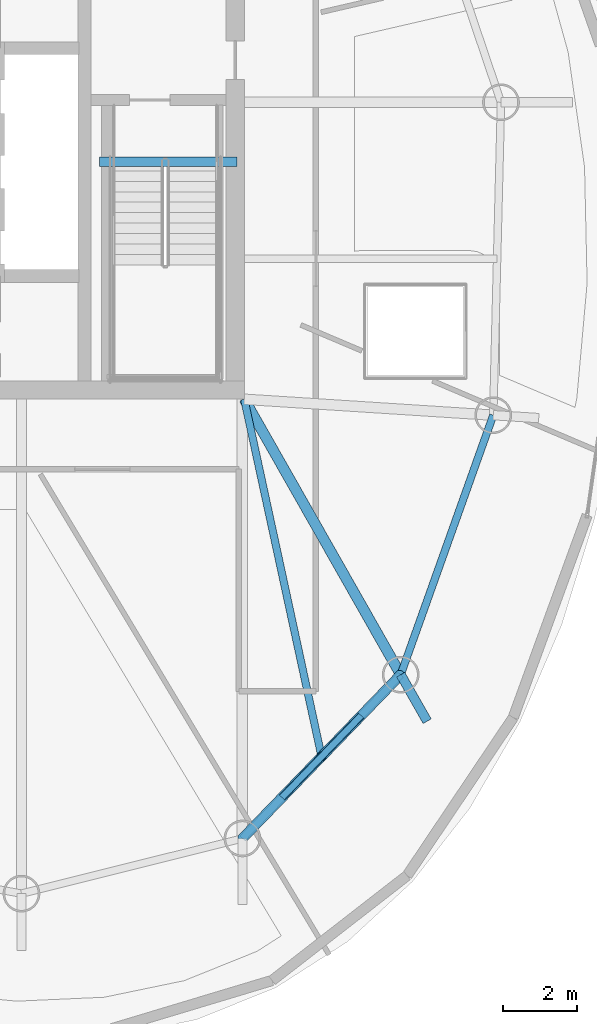
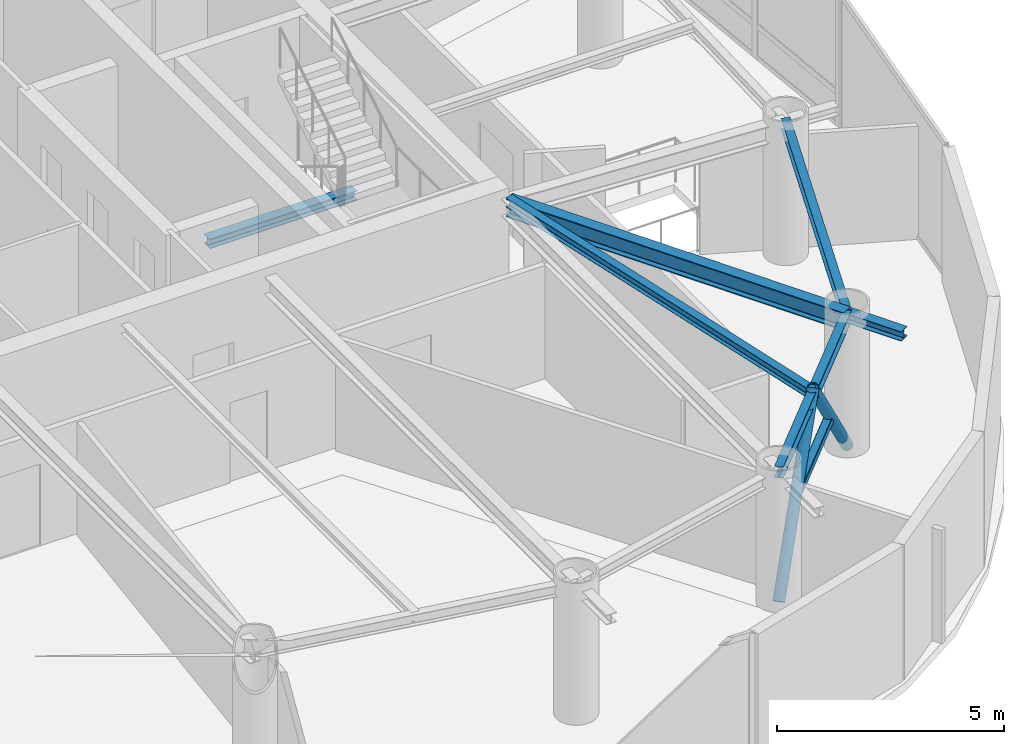
# One storey, part 6 of 20: 6 beams, 3 members.
"""IFC4 building model written with IfcOpenShell, lengths in metres."""

from ifc_helpers import new_model, si_unit, direction, frame, origin, origin_2d, place, context, subcontext, project, spatial, hollow_rectangle, hollow_circle, i_section, extrude, material, material_profile, profile_set, type_object, element, save


model = new_model("IFC4")

# Units and contexts
model_context = context("Model", 3, precision=1e-05, world=origin(), true_north=direction((0.0, 1.0)))
body_context = subcontext(model_context, "Body", "Model", "MODEL_VIEW")
ifc_project = project(units=[si_unit("LENGTHUNIT", "METRE"), si_unit("AREAUNIT", "SQUARE_METRE"), si_unit("VOLUMEUNIT", "CUBIC_METRE"), si_unit("PLANEANGLEUNIT", "RADIAN"), si_unit("MASSUNIT", "GRAM", prefix="KILO")], contexts=[model_context])

# Site, building, storey
site_placement = place(None, origin())
site = spatial("IfcSite", under=ifc_project, at=site_placement, CompositionType="ELEMENT")
building_placement = place(site_placement, origin())
building = spatial("IfcBuilding", under=site, at=building_placement, Name="Bramvorn Convention Spire", CompositionType="ELEMENT")
storey_placement = place(building_placement, frame((0.0, 0.0, 284.39990234375)))
storey = spatial("IfcBuildingStorey", under=building, at=storey_placement, Name="L72", CompositionType="ELEMENT", Elevation=284.39990234375)

# Beams
ifc_material = material(Name="Steel CSA G40.21 Grade 350 (350W)", Category="steel")
ifc_material_profile_1 = material_profile(ifc_material, i_section(OverallWidth=0.201904296875, OverallDepth=0.2470703125, WebThickness=0.00732421875, FlangeThickness=0.010986328125, FilletRadius=0.011962890625, at=origin_2d()))
ifc_profile_set_1 = profile_set([ifc_material_profile_1], Name="Steel CSA G40.21 Grade 350 (350W) - W250X49")
beam_type_1 = type_object("IfcBeamType", Name="BM-W250X49", PredefinedType="JOIST", material=ifc_profile_set_1)
beam_1_placement = place(storey_placement, frame((49.25, 18.550048828125, 3.501708984375), z_axis=(0.211461445939, -0.977386339623, 0.0), x_axis=(0.977386339623, 0.211461445939, 0.0)))
element("IfcBeam", 1, at=beam_1_placement, inside=storey, type_object=beam_type_1, Name="L72 composite floor joist 01", PredefinedType="JOIST", context=body_context, shape_type="SweptSolid", body=[
    extrude(i_section(OverallWidth=0.201904296875, OverallDepth=0.2470703125, WebThickness=0.00732421875, FlangeThickness=0.010986328125, FilletRadius=0.011962890625, at=origin_2d()), origin(), (0.0, 0.0, 1.0), 9.9462890625),
])
ifc_material_profile_2 = material_profile(ifc_material, i_section(OverallWidth=0.25390625, OverallDepth=0.2529296875, WebThickness=0.008544921875, FlangeThickness=0.01416015625, FilletRadius=0.011962890625, at=origin_2d()))
ifc_profile_set_2 = profile_set([ifc_material_profile_2], Name="Steel CSA G40.21 Grade 350 (350W) - W250X73")
beam_type_2 = type_object("IfcBeamType", Name="BM-W250X73", PredefinedType="BEAM", material=ifc_profile_set_2)
beam_2_placement = place(storey_placement, frame((53.50634765625, 11.05615234375, 3.49853515625), z_axis=(0.493862512466, -0.869540004129, 0.0), x_axis=(0.869540004129, 0.493862512466, 0.0)))
element("IfcBeam", 2, at=beam_2_placement, inside=storey, type_object=beam_type_2, Name="L72 slab-edge cantilever tip beam MC02", PredefinedType="BEAM", context=body_context, shape_type="SweptSolid", body=[
    extrude(i_section(OverallWidth=0.25390625, OverallDepth=0.2529296875, WebThickness=0.008544921875, FlangeThickness=0.01416015625, FilletRadius=0.011962890625, at=origin_2d()), origin(), (0.0, 0.0, 1.0), 1.456298828125),
])
beam_3_placement = place(storey_placement, frame((45.31005859375, 25.010009765625, -0.12646484375), z_axis=(1.0, 0.0, 0.0), x_axis=(0.0, 1.0, 0.0)))
element("IfcBeam", 3, at=beam_3_placement, inside=storey, type_object=beam_type_2, Name="L72 ST2 stair arrival header beam", PredefinedType="BEAM", context=body_context, shape_type="SweptSolid", body=[
    extrude(i_section(OverallWidth=0.25390625, OverallDepth=0.2529296875, WebThickness=0.008544921875, FlangeThickness=0.01416015625, FilletRadius=0.011962890625, at=origin_2d()), origin(), (0.0, 0.0, 1.0), 3.739990234375),
])
ifc_material_profile_3 = material_profile(ifc_material, i_section(OverallWidth=0.202880859375, OverallDepth=0.302978515625, WebThickness=0.007568359375, FlangeThickness=0.01318359375, FilletRadius=0.013916015625, at=origin_2d()))
ifc_profile_set_3 = profile_set([ifc_material_profile_3], Name="Steel CSA G40.21 Grade 350 (350W) - W310X60")
beam_type_3 = type_object("IfcBeamType", Name="BM-W310X60", PredefinedType="JOIST", material=ifc_profile_set_3)
beam_4_placement = place(storey_placement, frame((49.199951171875, 6.60107421875, 3.4736328125), z_axis=(0.695007159797, 0.719002814898, 0.0), x_axis=(-0.719002814898, 0.695007159797, 0.0)))
element("IfcBeam", 4, at=beam_4_placement, inside=storey, type_object=beam_type_3, Name="L72 mega-column ring beam 01", PredefinedType="JOIST", context=body_context, shape_type="SweptSolid", body=[
    extrude(i_section(OverallWidth=0.202880859375, OverallDepth=0.302978515625, WebThickness=0.007568359375, FlangeThickness=0.01318359375, FilletRadius=0.013916015625, at=origin_2d()), origin(), (0.0, 0.0, 1.0), 6.1962890625),
])
beam_5_placement = place(storey_placement, frame((53.50634765625, 11.05615234375, 3.4736328125), z_axis=(0.335839090413, 0.941919373063, 0.0), x_axis=(-0.941919373063, 0.335839090413, 0.0)))
element("IfcBeam", 5, at=beam_5_placement, inside=storey, type_object=beam_type_3, Name="L72 mega-column ring beam 02", PredefinedType="JOIST", context=body_context, shape_type="SweptSolid", body=[
    extrude(i_section(OverallWidth=0.202880859375, OverallDepth=0.302978515625, WebThickness=0.007568359375, FlangeThickness=0.01318359375, FilletRadius=0.013916015625, at=origin_2d()), origin(), (0.0, 0.0, 1.0), 7.49560546875),
])
ifc_material_profile_4 = material_profile(ifc_material, i_section(OverallWidth=0.283935546875, OverallDepth=0.47607421875, WebThickness=0.014892578125, FlangeThickness=0.02392578125, FilletRadius=0.01806640625, at=origin_2d()))
ifc_profile_set_4 = profile_set([ifc_material_profile_4], Name="Steel CSA G40.21 Grade 350 (350W) - W460X158")
beam_type_4 = type_object("IfcBeamType", Name="BM-W460X158", PredefinedType="SPANDREL", material=ifc_profile_set_4)
beam_6_placement = place(storey_placement, frame((49.25, 18.550048828125, 3.38720703125), z_axis=(0.493873612118, -0.869533699895, 0.0), x_axis=(0.869533699895, 0.493873612118, 0.0)))
element("IfcBeam", 6, at=beam_6_placement, inside=storey, type_object=beam_type_4, Name="L72 radial floor girder MC02", PredefinedType="SPANDREL", context=body_context, shape_type="SweptSolid", body=[
    extrude(i_section(OverallWidth=0.283935546875, OverallDepth=0.47607421875, WebThickness=0.014892578125, FlangeThickness=0.02392578125, FilletRadius=0.01806640625, at=origin_2d()), origin(), (0.0, 0.0, 1.0), 8.618408203125),
])

# Members
ifc_material_profile_5 = material_profile(ifc_material, hollow_circle(Radius=0.136474609375, WallThickness=0.0126953125, at=origin_2d()))
ifc_profile_set_5 = profile_set([ifc_material_profile_5], Name="Steel CSA G40.21 Grade 350 (350W) - CHS273X13")
member_type_1 = type_object("IfcMemberType", Name="MBR-CHS273X13", PredefinedType="BRACE", material=ifc_profile_set_5)
for number, where, z_axis, x_axis, name in (
    (7, (49.199951171875, 6.60107421875, 0.0), (0.451564377753, 0.467128501431, 0.760184566993), (-0.718983125626, 0.695027528279, 0.0), "L72 perimeter Gothic lancet brace 1A"),
    (8, (53.50634765625, 11.05615234375, 0.0), (-0.451523618323, -0.46713930078, 0.760202141383), (0.719022504671, -0.694986789642, 0.0), "L72 perimeter Gothic lancet brace 1B"),
):
    element("IfcMember", number, at=place(storey_placement, frame(where, z_axis=z_axis, x_axis=x_axis)), inside=storey, type_object=member_type_1, Name=name, PredefinedType="BRACE", context=body_context, shape_type="SweptSolid", body=[
        extrude(hollow_circle(Radius=0.136474609375, WallThickness=0.0126953125, at=origin_2d()), origin(), (0.0, 0.0, 1.0), 4.7685546875),
    ])
ifc_material_profile_6 = material_profile(ifc_material, hollow_rectangle(XDim=0.203125, YDim=0.203125, WallThickness=0.0126953125, InnerFilletRadius=0.0126953125, OuterFilletRadius=0.025390625, at=origin_2d()))
ifc_profile_set_6 = profile_set([ifc_material_profile_6], Name="Steel CSA G40.21 Grade 350 (350W) - HSS203X203X13")
member_type_2 = type_object("IfcMemberType", Name="MBR-HSS203X203X13", PredefinedType="BRACE", material=ifc_profile_set_6)
member_placement = place(storey_placement, frame((50.276611328125, 7.71484375, 1.8125), z_axis=(0.694986789642, 0.719022504671, 0.0), x_axis=(-0.719022504671, 0.694986789642, 0.0)))
element("IfcMember", 9, at=member_placement, inside=storey, type_object=member_type_2, Name="L72 lancet mid-height collar tie 1", PredefinedType="BRACE", context=body_context, shape_type="SweptSolid", body=[
    extrude(hollow_rectangle(XDim=0.203125, YDim=0.203125, WallThickness=0.0126953125, InnerFilletRadius=0.0126953125, OuterFilletRadius=0.025390625, at=origin_2d()), origin(), (0.0, 0.0, 1.0), 3.097900390625),
])

save(model, "model.ifc")
